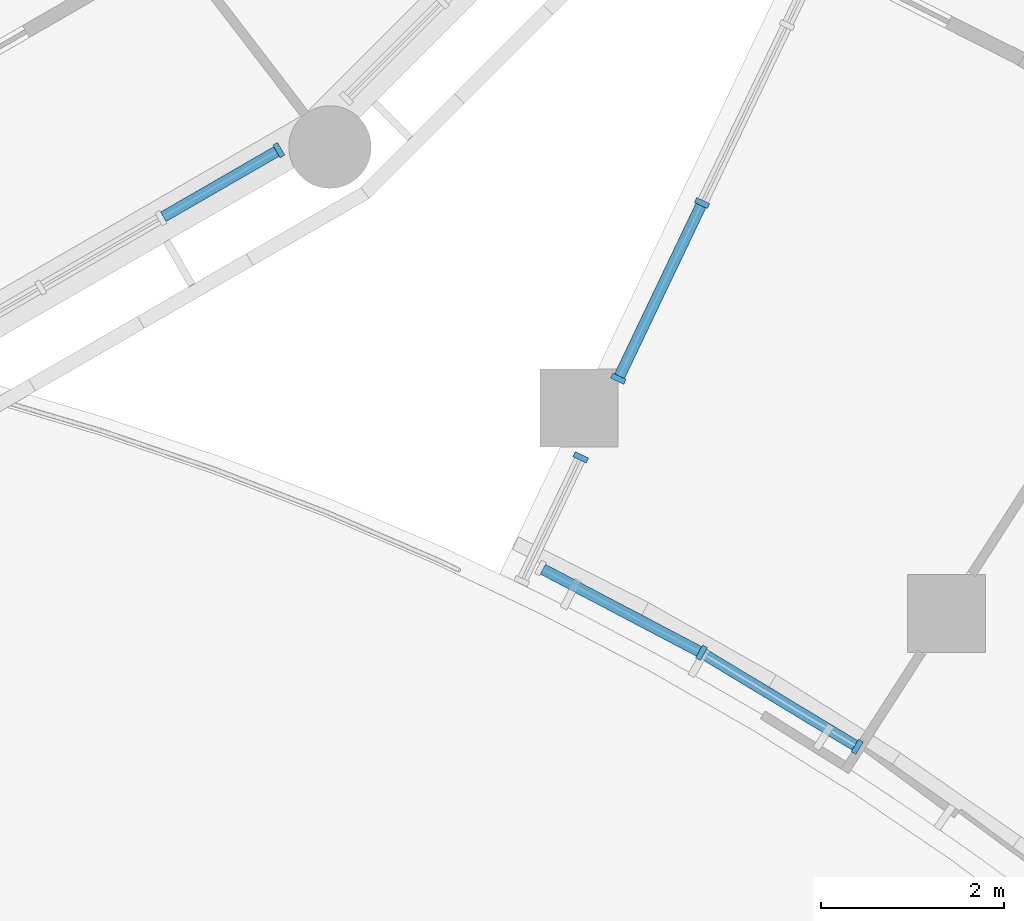
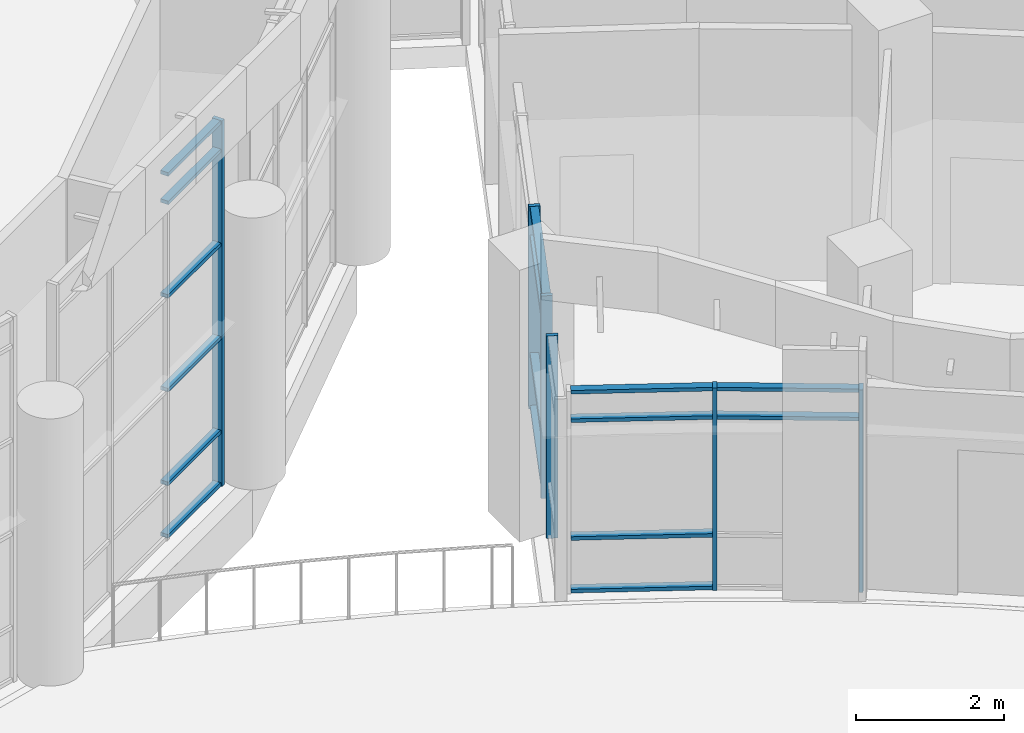
# One storey, part 10 of 136: 22 members, 4 elements without a shape of their own.
"""IFC4 building model written with IfcOpenShell, lengths in metres."""

from ifc_helpers import new_model, si_unit, direction, frame, origin, origin_2d, place, context, subcontext, project, spatial, rectangle, extrude, material, material_profile, profile_set, type_object, element, aggregate, save


model = new_model("IFC4")

# Units and contexts
model_context = context("Model", 3, precision=1e-05, world=origin(), true_north=direction((0.0, 1.0)))
body_context = subcontext(model_context, "Body", "Model", "MODEL_VIEW")
ifc_project = project(units=[si_unit("LENGTHUNIT", "METRE"), si_unit("AREAUNIT", "SQUARE_METRE"), si_unit("VOLUMEUNIT", "CUBIC_METRE"), si_unit("PLANEANGLEUNIT", "RADIAN"), si_unit("MASSUNIT", "GRAM", prefix="KILO")], contexts=[model_context])

# Site, building, storey
site_placement = place(None, origin())
site = spatial("IfcSite", under=ifc_project, at=site_placement, CompositionType="ELEMENT")
building_placement = place(site_placement, origin())
building = spatial("IfcBuilding", under=site, at=building_placement, Name="Bougainvillea Quay General Hospital", CompositionType="ELEMENT")
storey_placement = place(building_placement, frame((0.0, 0.0, 5.39990234375)))
storey = spatial("IfcBuildingStorey", under=building, at=storey_placement, Name="L01", CompositionType="ELEMENT", Elevation=5.39990234375)

# Curtain wall, members
ifc_material_1 = material(Name="Aluminium curtain wall system, powder-coated glazed", Category="aluminium")
curtain_wall_type_1 = type_object("IfcCurtainWallType", Name="Unitised curtain wall CW-2152", PredefinedType="NOTDEFINED", material=ifc_material_1)
curtain_wall_1_placement = place(storey_placement, origin())
curtain_wall_1 = element("IfcCurtainWall", 1, at=curtain_wall_1_placement, inside=storey, type_object=curtain_wall_type_1, Name="CW-AE 00", PredefinedType="NOTDEFINED")
ifc_material_2 = material(Name="Aluminium mullion, powder-coated charcoal", Category="aluminium")
ifc_material_profile_1 = material_profile(ifc_material_2, rectangle(XDim=0.159912109375, YDim=0.06005859375, at=origin_2d()))
ifc_profile_set_1 = profile_set([ifc_material_profile_1], Name="Aluminium mullion, powder-coated charcoal")
member_type_1 = type_object("IfcMemberType", Name="Curtain wall mullion 160x60", PredefinedType="MULLION", material=ifc_profile_set_1)
member_1_placement = place(storey_placement, frame((126.041259765625, 56.728515625, 0.0), z_axis=(0.0, 0.0, 1.0), x_axis=(0.902576055431, -0.430530445105, 0.0)))
member_1 = element("IfcMember", 2, at=member_1_placement, type_object=member_type_1, Name="CW-AE mullion 5", PredefinedType="MULLION", context=body_context, shape_type="SweptSolid", body=[
    extrude(rectangle(XDim=0.159912109375, YDim=0.06005859375, at=origin_2d()), origin(), (0.0, 0.0, 1.0), 3.35009765625),
])
member_2_placement = place(storey_placement, frame((125.128173828125, 54.814208984375, 0.0), z_axis=(0.0, 0.0, 1.0), x_axis=(0.902576055431, -0.430530445105, 0.0)))
member_2 = element("IfcMember", 3, at=member_2_placement, type_object=member_type_1, Name="CW-AE mullion 6", PredefinedType="MULLION", context=body_context, shape_type="SweptSolid", body=[
    extrude(rectangle(XDim=0.159912109375, YDim=0.06005859375, at=origin_2d()), origin(), (0.0, 0.0, 1.0), 3.35009765625),
])

# Curtain wall, member
curtain_wall_type_2 = type_object("IfcCurtainWallType", Name="Unitised curtain wall CW-1555", PredefinedType="NOTDEFINED", material=ifc_material_1)
curtain_wall_2_placement = place(storey_placement, origin())
curtain_wall_2 = element("IfcCurtainWall", 4, at=curtain_wall_2_placement, inside=storey, type_object=curtain_wall_type_2, Name="CW-AE 01", PredefinedType="NOTDEFINED")
member_3_placement = place(storey_placement, frame((124.71923828125, 53.95654296875, 0.0), z_axis=(0.0, 0.0, 1.0), x_axis=(0.902576055431, -0.430530445105, 0.0)))
member_3 = element("IfcMember", 5, at=member_3_placement, type_object=member_type_1, Name="CW-AE mullion 1", PredefinedType="MULLION", context=body_context, shape_type="SweptSolid", body=[
    extrude(rectangle(XDim=0.159912109375, YDim=0.06005859375, at=origin_2d()), origin(), (0.0, 0.0, 1.0), 3.35009765625),
])
aggregate(curtain_wall_2, [member_3])

# Curtain wall, members
curtain_wall_type_3 = type_object("IfcCurtainWallType", Name="Unitised curtain wall CW-2100", PredefinedType="NOTDEFINED", material=ifc_material_1)
curtain_wall_3_placement = place(storey_placement, origin())
curtain_wall_3 = element("IfcCurtainWall", 6, at=curtain_wall_3_placement, inside=storey, type_object=curtain_wall_type_3, Name="CW-E01 a21b0", PredefinedType="NOTDEFINED")
member_4_placement = place(storey_placement, frame((126.035400390625, 51.82666015625, 0.0), z_axis=(0.0, 0.0, 1.0), x_axis=(0.491544628503, 0.870852385993, 0.0)))
member_4 = element("IfcMember", 7, at=member_4_placement, type_object=member_type_1, Name="CW-E01 mullion 2", PredefinedType="MULLION", context=body_context, shape_type="SweptSolid", body=[
    extrude(rectangle(XDim=0.159912109375, YDim=0.06005859375, at=origin_2d()), origin(), (0.0, 0.0, 1.0), 3.35009765625),
])
member_5_placement = place(storey_placement, frame((127.73388671875, 50.801025390625, 0.0), z_axis=(0.0, 0.0, 1.0), x_axis=(0.516937944525, 0.856022874409, 0.0)))
member_5 = element("IfcMember", 8, at=member_5_placement, type_object=member_type_1, Name="CW-E01 mullion 3", PredefinedType="MULLION", context=body_context, shape_type="SweptSolid", body=[
    extrude(rectangle(XDim=0.159912109375, YDim=0.06005859375, at=origin_2d()), origin(), (0.0, 0.0, 1.0), 3.35009765625),
])

# Curtain wall, member
curtain_wall_type_4 = type_object("IfcCurtainWallType", Name="Unitised curtain wall CW-1515", PredefinedType="NOTDEFINED", material=ifc_material_1)
curtain_wall_4_placement = place(storey_placement, origin())
curtain_wall_4 = element("IfcCurtainWall", 9, at=curtain_wall_4_placement, inside=storey, type_object=curtain_wall_type_4, Name="CW-D 00", PredefinedType="NOTDEFINED")
member_6_placement = place(storey_placement, frame((121.426025390625, 57.306640625, 0.0), z_axis=(0.0, 0.0, 1.0), x_axis=(-0.499964557262, 0.866045865692, 0.0)))
member_6 = element("IfcMember", 10, at=member_6_placement, type_object=member_type_1, Name="CW-D mullion 4", PredefinedType="MULLION", context=body_context, shape_type="SweptSolid", body=[
    extrude(rectangle(XDim=0.159912109375, YDim=0.06005859375, at=origin_2d()), origin(), (0.0, 0.0, 1.0), 6.050048828125),
])

# Member
ifc_material_3 = material(Name="Aluminium transom, powder-coated charcoal", Category="aluminium")
ifc_material_profile_2 = material_profile(ifc_material_3, rectangle(XDim=0.1201171875, YDim=0.06005859375, at=origin_2d()))
ifc_profile_set_2 = profile_set([ifc_material_profile_2], Name="Aluminium transom, powder-coated charcoal")
member_type_2 = type_object("IfcMemberType", Name="Curtain wall transom 120x60", PredefinedType="USERDEFINED", material=ifc_profile_set_2)
member_7_placement = place(storey_placement, frame((126.0283203125, 56.701416015625, 0.030029296875), z_axis=(-0.430457678245, -0.902610761757, 0.0), x_axis=(0.902610761757, -0.430457678245, 0.0)))
member_7 = element("IfcMember", 11, at=member_7_placement, type_object=member_type_2, Name="CW-AE transom 5.1", ObjectType="TRANSOM", PredefinedType="USERDEFINED", context=body_context, shape_type="SweptSolid", body=[
    extrude(rectangle(XDim=0.1201171875, YDim=0.06005859375, at=origin_2d()), origin(), (0.0, 0.0, 1.0), 2.06103515625),
])

member_8_placement = place(storey_placement, frame((126.0283203125, 56.701416015625, 0.900146484375), z_axis=(-0.430457678245, -0.902610761757, 0.0), x_axis=(0.902610761757, -0.430457678245, 0.0)))
member_8 = element("IfcMember", 12, at=member_8_placement, type_object=member_type_2, Name="CW-AE transom 5.2", ObjectType="TRANSOM", PredefinedType="USERDEFINED", context=body_context, shape_type="SweptSolid", body=[
    extrude(rectangle(XDim=0.1201171875, YDim=0.06005859375, at=origin_2d()), origin(), (0.0, 0.0, 1.0), 2.06103515625),
])

member_9_placement = place(storey_placement, frame((126.0283203125, 56.701416015625, 2.85009765625), z_axis=(-0.430457678245, -0.902610761757, 0.0), x_axis=(0.902610761757, -0.430457678245, 0.0)))
member_9 = element("IfcMember", 13, at=member_9_placement, type_object=member_type_2, Name="CW-AE transom 5.3", ObjectType="TRANSOM", PredefinedType="USERDEFINED", context=body_context, shape_type="SweptSolid", body=[
    extrude(rectangle(XDim=0.1201171875, YDim=0.06005859375, at=origin_2d()), origin(), (0.0, 0.0, 1.0), 2.06103515625),
])

member_10_placement = place(storey_placement, frame((126.0283203125, 56.701416015625, 3.320068359375), z_axis=(-0.430457678245, -0.902610761757, 0.0), x_axis=(0.902610761757, -0.430457678245, 0.0)))
member_10 = element("IfcMember", 14, at=member_10_placement, type_object=member_type_2, Name="CW-AE transom 5.4", ObjectType="TRANSOM", PredefinedType="USERDEFINED", context=body_context, shape_type="SweptSolid", body=[
    extrude(rectangle(XDim=0.1201171875, YDim=0.06005859375, at=origin_2d()), origin(), (0.0, 0.0, 1.0), 2.06103515625),
])

aggregate(curtain_wall_1, [member_1, member_2, member_7, member_8, member_9, member_10])

member_11_placement = place(storey_placement, frame((124.30615234375, 52.73681640625, 0.030029296875), z_axis=(0.884893449726, -0.465793497841, 0.0), x_axis=(0.465793497841, 0.884893449726, 0.0)))
member_11 = element("IfcMember", 15, at=member_11_placement, type_object=member_type_2, Name="CW-E01 transom 1.1", ObjectType="TRANSOM", PredefinedType="USERDEFINED", context=body_context, shape_type="SweptSolid", body=[
    extrude(rectangle(XDim=0.1201171875, YDim=0.06005859375, at=origin_2d()), origin(), (0.0, 0.0, 1.0), 1.924072265625),
])

member_12_placement = place(storey_placement, frame((124.30615234375, 52.73681640625, 0.900146484375), z_axis=(0.884893449726, -0.465793497841, 0.0), x_axis=(0.465793497841, 0.884893449726, 0.0)))
member_12 = element("IfcMember", 16, at=member_12_placement, type_object=member_type_2, Name="CW-E01 transom 1.2", ObjectType="TRANSOM", PredefinedType="USERDEFINED", context=body_context, shape_type="SweptSolid", body=[
    extrude(rectangle(XDim=0.1201171875, YDim=0.06005859375, at=origin_2d()), origin(), (0.0, 0.0, 1.0), 1.924072265625),
])

member_13_placement = place(storey_placement, frame((124.30615234375, 52.73681640625, 2.85009765625), z_axis=(0.884893449726, -0.465793497841, 0.0), x_axis=(0.465793497841, 0.884893449726, 0.0)))
member_13 = element("IfcMember", 17, at=member_13_placement, type_object=member_type_2, Name="CW-E01 transom 1.3", ObjectType="TRANSOM", PredefinedType="USERDEFINED", context=body_context, shape_type="SweptSolid", body=[
    extrude(rectangle(XDim=0.1201171875, YDim=0.06005859375, at=origin_2d()), origin(), (0.0, 0.0, 1.0), 1.924072265625),
])

member_14_placement = place(storey_placement, frame((124.30615234375, 52.73681640625, 3.320068359375), z_axis=(0.884893449726, -0.465793497841, 0.0), x_axis=(0.465793497841, 0.884893449726, 0.0)))
member_14 = element("IfcMember", 18, at=member_14_placement, type_object=member_type_2, Name="CW-E01 transom 1.4", ObjectType="TRANSOM", PredefinedType="USERDEFINED", context=body_context, shape_type="SweptSolid", body=[
    extrude(rectangle(XDim=0.1201171875, YDim=0.06005859375, at=origin_2d()), origin(), (0.0, 0.0, 1.0), 1.924072265625),
])

member_15_placement = place(storey_placement, frame((126.06103515625, 51.81103515625, 2.85009765625), z_axis=(0.856045378247, -0.516900677483, 0.0), x_axis=(0.516900677483, 0.856045378247, 0.0)))
member_15 = element("IfcMember", 19, at=member_15_placement, type_object=member_type_2, Name="CW-E01 transom 2.3", ObjectType="TRANSOM", PredefinedType="USERDEFINED", context=body_context, shape_type="SweptSolid", body=[
    extrude(rectangle(XDim=0.1201171875, YDim=0.06005859375, at=origin_2d()), origin(), (0.0, 0.0, 1.0), 1.92431640625),
])

member_16_placement = place(storey_placement, frame((126.06103515625, 51.81103515625, 3.320068359375), z_axis=(0.856045378247, -0.516900677483, 0.0), x_axis=(0.516900677483, 0.856045378247, 0.0)))
member_16 = element("IfcMember", 20, at=member_16_placement, type_object=member_type_2, Name="CW-E01 transom 2.4", ObjectType="TRANSOM", PredefinedType="USERDEFINED", context=body_context, shape_type="SweptSolid", body=[
    extrude(rectangle(XDim=0.1201171875, YDim=0.06005859375, at=origin_2d()), origin(), (0.0, 0.0, 1.0), 1.92431640625),
])

aggregate(curtain_wall_3, [member_4, member_5, member_11, member_12, member_13, member_14, member_15, member_16])

member_17_placement = place(storey_placement, frame((120.166748046875, 56.57958984375, 0.030029296875), z_axis=(0.866039970803, 0.499974768335, 0.0), x_axis=(-0.499974768335, 0.866039970803, 0.0)))
member_17 = element("IfcMember", 21, at=member_17_placement, type_object=member_type_2, Name="CW-D transom 3.1", ObjectType="TRANSOM", PredefinedType="USERDEFINED", context=body_context, shape_type="SweptSolid", body=[
    extrude(rectangle(XDim=0.1201171875, YDim=0.06005859375, at=origin_2d()), origin(), (0.0, 0.0, 1.0), 1.423828125),
])

member_18_placement = place(storey_placement, frame((120.166748046875, 56.57958984375, 0.900146484375), z_axis=(0.866039970803, 0.499974768335, 0.0), x_axis=(-0.499974768335, 0.866039970803, 0.0)))
member_18 = element("IfcMember", 22, at=member_18_placement, type_object=member_type_2, Name="CW-D transom 3.2", ObjectType="TRANSOM", PredefinedType="USERDEFINED", context=body_context, shape_type="SweptSolid", body=[
    extrude(rectangle(XDim=0.1201171875, YDim=0.06005859375, at=origin_2d()), origin(), (0.0, 0.0, 1.0), 1.423828125),
])

member_19_placement = place(storey_placement, frame((120.166748046875, 56.57958984375, 2.4501953125), z_axis=(0.866039970803, 0.499974768335, 0.0), x_axis=(-0.499974768335, 0.866039970803, 0.0)))
member_19 = element("IfcMember", 23, at=member_19_placement, type_object=member_type_2, Name="CW-D transom 3.3", ObjectType="TRANSOM", PredefinedType="USERDEFINED", context=body_context, shape_type="SweptSolid", body=[
    extrude(rectangle(XDim=0.1201171875, YDim=0.06005859375, at=origin_2d()), origin(), (0.0, 0.0, 1.0), 1.423828125),
])

member_20_placement = place(storey_placement, frame((120.166748046875, 56.57958984375, 4.0), z_axis=(0.866039970803, 0.499974768335, 0.0), x_axis=(-0.499974768335, 0.866039970803, 0.0)))
member_20 = element("IfcMember", 24, at=member_20_placement, type_object=member_type_2, Name="CW-D transom 3.4", ObjectType="TRANSOM", PredefinedType="USERDEFINED", context=body_context, shape_type="SweptSolid", body=[
    extrude(rectangle(XDim=0.1201171875, YDim=0.06005859375, at=origin_2d()), origin(), (0.0, 0.0, 1.0), 1.423828125),
])

member_21_placement = place(storey_placement, frame((120.166748046875, 56.57958984375, 5.550048828125), z_axis=(0.866039970803, 0.499974768335, 0.0), x_axis=(-0.499974768335, 0.866039970803, 0.0)))
member_21 = element("IfcMember", 25, at=member_21_placement, type_object=member_type_2, Name="CW-D transom 3.5", ObjectType="TRANSOM", PredefinedType="USERDEFINED", context=body_context, shape_type="SweptSolid", body=[
    extrude(rectangle(XDim=0.1201171875, YDim=0.06005859375, at=origin_2d()), origin(), (0.0, 0.0, 1.0), 1.423828125),
])

member_22_placement = place(storey_placement, frame((120.166748046875, 56.57958984375, 6.02001953125), z_axis=(0.866039970803, 0.499974768335, 0.0), x_axis=(-0.499974768335, 0.866039970803, 0.0)))
member_22 = element("IfcMember", 26, at=member_22_placement, type_object=member_type_2, Name="CW-D transom 3.6", ObjectType="TRANSOM", PredefinedType="USERDEFINED", context=body_context, shape_type="SweptSolid", body=[
    extrude(rectangle(XDim=0.1201171875, YDim=0.06005859375, at=origin_2d()), origin(), (0.0, 0.0, 1.0), 1.423828125),
])

aggregate(curtain_wall_4, [member_6, member_17, member_18, member_19, member_20, member_21, member_22])

save(model, "model.ifc")
